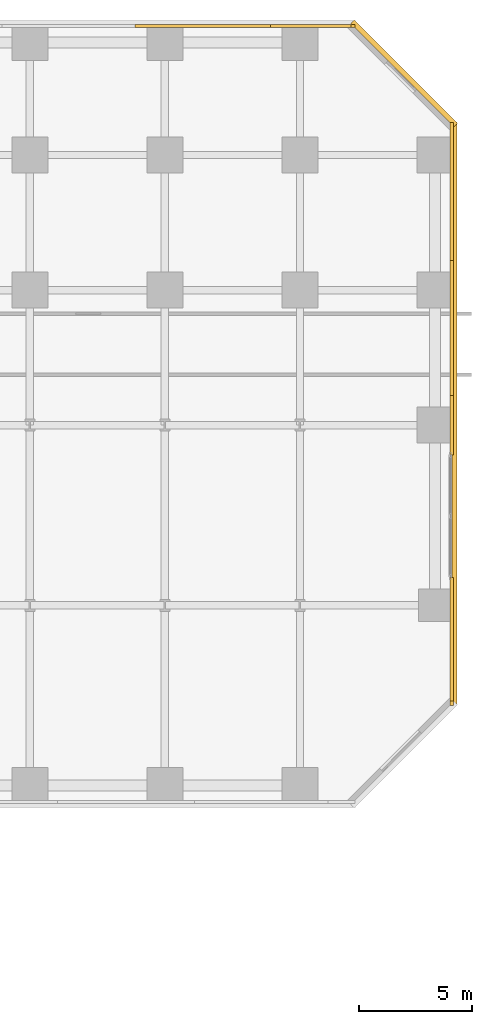
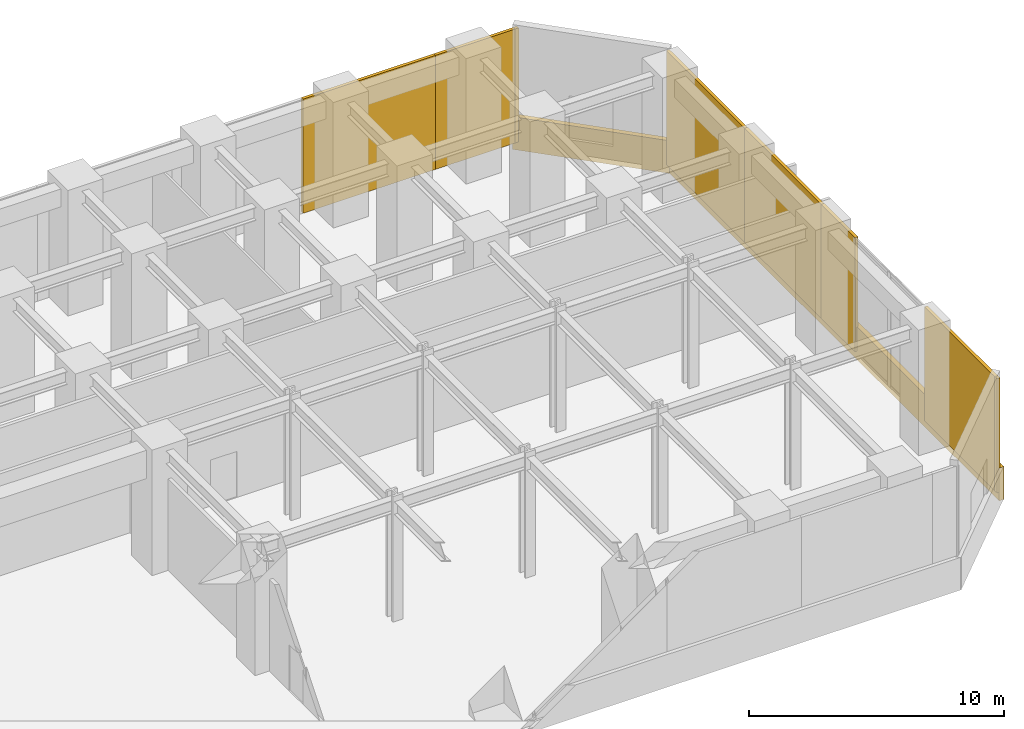
# One storey, part 34 of 34: 10 coverings.
"""IFC4 building model written with IfcOpenShell, lengths in metres."""

from ifc_helpers import new_model, si_unit, direction, frame, origin, origin_2d, place, context, subcontext, project, spatial, rectangle, extrude, source, transform, mapped, material, layer, layer_set, type_object, element, save


model = new_model("IFC4")

# Units and contexts
model_context = context("Model", 3, precision=1e-05, world=origin(), true_north=direction((0.0, 1.0)))
body_context = subcontext(model_context, "Body", "Model", "MODEL_VIEW")
ifc_project = project(units=[si_unit("LENGTHUNIT", "METRE"), si_unit("AREAUNIT", "SQUARE_METRE"), si_unit("VOLUMEUNIT", "CUBIC_METRE"), si_unit("PLANEANGLEUNIT", "RADIAN"), si_unit("MASSUNIT", "GRAM", prefix="KILO")], contexts=[model_context])

# Site, building, storey
site_placement = place(None, origin())
site = spatial("IfcSite", under=ifc_project, at=site_placement, CompositionType="ELEMENT")
building_placement = place(site_placement, origin())
building = spatial("IfcBuilding", under=site, at=building_placement, Name="Torre Montelarca", CompositionType="ELEMENT")
storey_placement = place(building_placement, frame((0.0, 0.0, 6.0)))
storey = spatial("IfcBuildingStorey", under=building, at=storey_placement, Name="L02", CompositionType="ELEMENT", Elevation=6.0)

# Coverings
ifc_material = material(Name="Bush-hammered warm white precast concrete C45/55", Category="concrete")
ifc_layer = layer(ifc_material, 0.139892578125, Name="Bush-hammered warm white precast concrete C45/55", Category="concrete")
ifc_layer_set = layer_set([ifc_layer], Name="Bush-hammered warm white precast concrete C45/55")
covering_type = type_object("IfcCoveringType", Name="COV-TRAY-CLAD", PredefinedType="CLADDING", material=ifc_layer_set)
shared_shape_1 = source(origin(), body_context, "Body", "SweptSolid", [
    extrude(rectangle(XDim=0.179931640625, YDim=0.139892578125, at=origin_2d()), origin(), (0.0, 0.0, 1.0), 5.449951171875),
])
for number, where, z_axis, x_axis, name in (
    (1, (78.739990234375, 27.64990234375, 0.0), (0.0, 0.0, 1.0), (0.0, 1.0, 0.0), "L02 Architectural Column Pier Cladding E06-1"),
    (2, (74.35009765625, 57.739990234375, 0.0), (0.0, 0.0, 1.0), (-1.0, 0.0, 0.0), "L02 Architectural Column Pier Cladding E08-1"),
):
    element("IfcCovering", number, at=place(storey_placement, frame(where, z_axis=z_axis, x_axis=x_axis)), inside=storey, type_object=covering_type, Name=name, PredefinedType="CLADDING", context=body_context, shape_type="MappedRepresentation", body=[
        mapped(shared_shape_1, transform((0.0, 0.0, 0.0), scale=1.0)),
    ])
shared_shape_2 = source(origin(), body_context, "Body", "SweptSolid", [
    extrude(rectangle(XDim=2.639892578125, YDim=0.139892578125, at=origin_2d()), origin(), (0.0, 0.0, 1.0), 5.449951171875),
])
covering_1_placement = place(storey_placement, frame((78.739990234375, 40.0, 0.0), z_axis=(0.0, 0.0, 1.0), x_axis=(0.0, 1.0, 0.0)))
element("IfcCovering", 3, at=covering_1_placement, inside=storey, type_object=covering_type, Name="L02 Architectural Column Pier Cladding E06-3", PredefinedType="CLADDING", context=body_context, shape_type="MappedRepresentation", body=[
    mapped(shared_shape_2, transform((0.0, 0.0, 0.0), scale=1.0)),
])
shared_shape_3 = source(origin(), body_context, "Body", "SweptSolid", [
    extrude(rectangle(XDim=6.080078125, YDim=0.139892578125, at=origin_2d()), origin(), (0.0, 0.0, 1.0), 5.449951171875),
])
for number, where, z_axis, x_axis, name in (
    (4, (78.739990234375, 44.280029296875, 0.0), (0.0, 0.0, 1.0), (0.0, 1.0, 0.0), "L02 Architectural Column Pier Cladding E06-4"),
    (5, (67.719970703125, 57.739990234375, 0.0), (0.0, 0.0, 1.0), (-1.0, 0.0, 0.0), "L02 Architectural Column Pier Cladding E08-3"),
):
    element("IfcCovering", number, at=place(storey_placement, frame(where, z_axis=z_axis, x_axis=x_axis)), inside=storey, type_object=covering_type, Name=name, PredefinedType="CLADDING", context=body_context, shape_type="MappedRepresentation", body=[
        mapped(shared_shape_3, transform((0.0, 0.0, 0.0), scale=1.0)),
    ])
shared_shape_4 = source(origin(), body_context, "Body", "SweptSolid", [
    extrude(rectangle(XDim=5.5849609375, YDim=0.139892578125, at=origin_2d()), origin(), (0.0, 0.0, 1.0), 5.449951171875),
])
covering_2_placement = place(storey_placement, frame((78.739990234375, 30.452392578125, 0.0), z_axis=(0.0, 0.0, 1.0), x_axis=(0.0, 1.0, 0.0)))
element("IfcCovering", 6, at=covering_2_placement, inside=storey, type_object=covering_type, Name="L02 Architectural Column Pier Cladding E06-2", PredefinedType="CLADDING", context=body_context, shape_type="MappedRepresentation", body=[
    mapped(shared_shape_4, transform((0.0, 0.0, 0.0), scale=1.0)),
])
shared_shape_5 = source(origin(), body_context, "Body", "SweptSolid", [
    extrude(rectangle(XDim=6.199951171875, YDim=0.139892578125, at=origin_2d()), origin(), (0.0, 0.0, 1.0), 5.449951171875),
])
covering_3_placement = place(storey_placement, frame((78.739990234375, 50.340087890625, 0.0), z_axis=(0.0, 0.0, 1.0), x_axis=(0.0, 1.0, 0.0)))
element("IfcCovering", 7, at=covering_3_placement, inside=storey, type_object=covering_type, Name="L02 Architectural Column Pier Cladding E06-5", PredefinedType="CLADDING", context=body_context, shape_type="MappedRepresentation", body=[
    mapped(shared_shape_5, transform((0.0, 0.0, 0.0), scale=1.0)),
])
shared_shape_6 = source(origin(), body_context, "Body", "SweptSolid", [
    extrude(rectangle(XDim=3.659912109375, YDim=0.139892578125, at=origin_2d()), origin(), (0.0, 0.0, 1.0), 5.449951171875),
])
covering_4_placement = place(storey_placement, frame((72.510009765625, 57.739990234375, 0.0), z_axis=(0.0, 0.0, 1.0), x_axis=(-1.0, 0.0, 0.0)))
element("IfcCovering", 8, at=covering_4_placement, inside=storey, type_object=covering_type, Name="L02 Architectural Column Pier Cladding E08-2", PredefinedType="CLADDING", context=body_context, shape_type="MappedRepresentation", body=[
    mapped(shared_shape_6, transform((0.0, 0.0, 0.0), scale=1.0)),
])
shared_shape_7 = source(origin(), body_context, "Body", "SweptSolid", [
    extrude(rectangle(XDim=6.48388671875, YDim=0.219970703125, at=origin_2d()), origin(), (0.0, 0.0, 1.0), 1.56005859375),
])
covering_5_placement = place(storey_placement, frame((76.62890625, 55.62890625, -0.400146484375), z_axis=(0.0, 0.0, 1.0), x_axis=(-0.707106781187, 0.707106781187, 0.0)))
element("IfcCovering", 9, at=covering_5_placement, inside=storey, type_object=covering_type, Name="L02 Architectural White Spandrel Tray Band PODBOT-07", PredefinedType="CLADDING", context=body_context, shape_type="MappedRepresentation", body=[
    mapped(shared_shape_7, transform((0.0, 0.0, 0.0), scale=1.0)),
])
shared_shape_8 = source(origin(), body_context, "Body", "SweptSolid", [
    extrude(rectangle(XDim=25.919921875, YDim=0.219970703125, at=origin_2d()), origin(), (0.0, 0.0, 1.0), 1.56005859375),
])
covering_6_placement = place(storey_placement, frame((78.8701171875, 40.5, -0.400146484375), z_axis=(0.0, 0.0, 1.0), x_axis=(0.0, 1.0, 0.0)))
element("IfcCovering", 10, at=covering_6_placement, inside=storey, type_object=covering_type, Name="L02 Architectural White Spandrel Tray Band PODBOT-06", PredefinedType="CLADDING", context=body_context, shape_type="MappedRepresentation", body=[
    mapped(shared_shape_8, transform((0.0, 0.0, 0.0), scale=1.0)),
])

save(model, "model.ifc")
